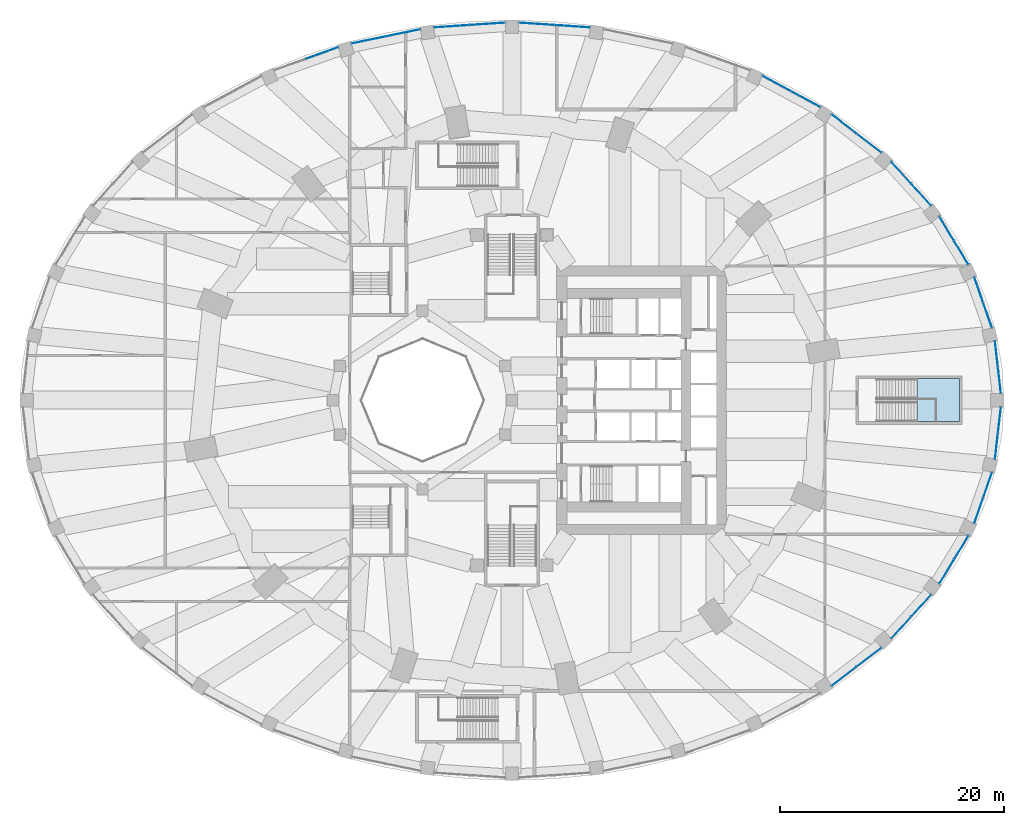
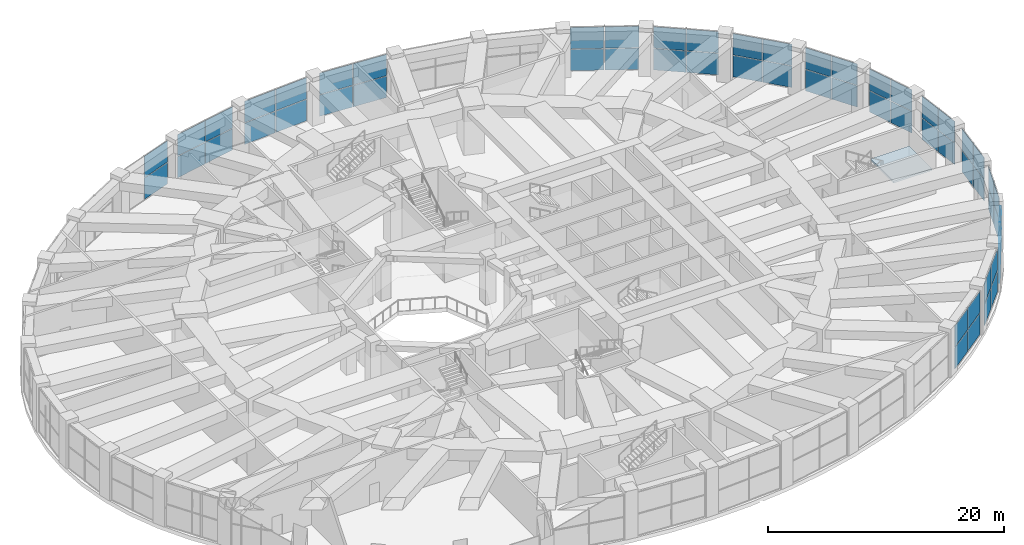
# One storey, part 20 of 32: 58 plates, 1 slab, 16 elements without a shape of their own.
"""IFC4 building model written with IfcOpenShell, lengths in metres."""

from ifc_helpers import new_model, si_unit, direction, frame, origin, origin_2d, place, context, subcontext, project, spatial, polyline, rectangle, outline, extrude, material, layer, layer_set, type_object, element, aggregate, save


model = new_model("IFC4")

# Units and contexts
model_context = context("Model", 3, precision=1e-05, world=origin(), true_north=direction((0.0, 1.0)))
body_context = subcontext(model_context, "Body", "Model", "MODEL_VIEW")
ifc_project = project(units=[si_unit("LENGTHUNIT", "METRE"), si_unit("AREAUNIT", "SQUARE_METRE"), si_unit("VOLUMEUNIT", "CUBIC_METRE"), si_unit("PLANEANGLEUNIT", "RADIAN"), si_unit("MASSUNIT", "GRAM", prefix="KILO")], contexts=[model_context])

# Site, building, storey
site_placement = place(None, origin())
site = spatial("IfcSite", under=ifc_project, at=site_placement, CompositionType="ELEMENT")
building_placement = place(site_placement, origin())
building = spatial("IfcBuilding", under=site, at=building_placement, Name="Taillehof Tower", CompositionType="ELEMENT")
storey_placement = place(building_placement, frame((0.0, 0.0, 7.5)))
storey = spatial("IfcBuildingStorey", under=building, at=storey_placement, Name="L01", CompositionType="ELEMENT", Elevation=7.5)

# Curtain wall, plates
ifc_material_1 = material(Name="Aluminium curtain wall with Clear low-emissivity double glazing", Category="aluminium")
curtain_wall_type = type_object("IfcCurtainWallType", Name="Podium window wall curtain wall", PredefinedType="USERDEFINED", material=ifc_material_1)
curtain_wall_1_placement = place(storey_placement, origin())
curtain_wall_1 = element("IfcCurtainWall", 1, at=curtain_wall_1_placement, inside=storey, type_object=curtain_wall_type, Name="Podium window wall L01 bay 1", ObjectType="WINDOW WALL", PredefinedType="USERDEFINED")
ifc_material_2 = material(Name="Clear low-emissivity double glazing", Category="glass")
ifc_layer_1 = layer(ifc_material_2, 0.028076171875)
ifc_layer_set_1 = layer_set([ifc_layer_1], Name="Podium window wall glass panel 28")
plate_type = type_object("IfcPlateType", Name="Podium window wall glass panel 28", PredefinedType="CURTAIN_PANEL", material=ifc_layer_set_1)
plate_1_placement = place(storey_placement, frame((43.59716796875, 1.772216796875, 0.06005859375), z_axis=(0.0, 0.0, 1.0), x_axis=(-0.112932433888, 0.993602669771, 0.0)))
plate_1 = element("IfcPlate", 2, at=plate_1_placement, type_object=plate_type, Name="CT201 panel 1.1", PredefinedType="CURTAIN_PANEL", context=body_context, shape_type="SweptSolid", body=[
    extrude(rectangle(XDim=2.299560546875, YDim=0.028076171875, at=origin_2d()), origin(), (0.0, 0.0, 1.0), 2.205078125),
])
plate_2_placement = place(storey_placement, frame((43.59716796875, 1.772216796875, 2.324951171875), z_axis=(0.0, 0.0, 1.0), x_axis=(-0.112932433888, 0.993602669771, 0.0)))
plate_2 = element("IfcPlate", 3, at=plate_2_placement, type_object=plate_type, Name="CT201 panel 1.2", PredefinedType="CURTAIN_PANEL", context=body_context, shape_type="SweptSolid", body=[
    extrude(rectangle(XDim=2.299560546875, YDim=0.028076171875, at=origin_2d()), origin(), (0.0, 0.0, 1.0), 2.205078125),
])
plate_3_placement = place(storey_placement, frame((43.330810546875, 4.116455078125, 0.06005859375), z_axis=(0.0, 0.0, 1.0), x_axis=(-0.112932433888, 0.993602669771, 0.0)))
plate_3 = element("IfcPlate", 4, at=plate_3_placement, type_object=plate_type, Name="CT201 panel 2.1", PredefinedType="CURTAIN_PANEL", context=body_context, shape_type="SweptSolid", body=[
    extrude(rectangle(XDim=2.299560546875, YDim=0.028076171875, at=origin_2d()), origin(), (0.0, 0.0, 1.0), 2.205078125),
])
plate_4_placement = place(storey_placement, frame((43.330810546875, 4.116455078125, 2.324951171875), z_axis=(0.0, 0.0, 1.0), x_axis=(-0.112932433888, 0.993602669771, 0.0)))
plate_4 = element("IfcPlate", 5, at=plate_4_placement, type_object=plate_type, Name="CT201 panel 2.2", PredefinedType="CURTAIN_PANEL", context=body_context, shape_type="SweptSolid", body=[
    extrude(rectangle(XDim=2.299560546875, YDim=0.028076171875, at=origin_2d()), origin(), (0.0, 0.0, 1.0), 2.205078125),
])
aggregate(curtain_wall_1, [plate_1, plate_2, plate_3, plate_4])

curtain_wall_2_placement = place(storey_placement, origin())
curtain_wall_2 = element("IfcCurtainWall", 6, at=curtain_wall_2_placement, inside=storey, type_object=curtain_wall_type, Name="Podium window wall L01 bay 2", ObjectType="WINDOW WALL", PredefinedType="USERDEFINED")
plate_5_placement = place(storey_placement, frame((42.53369140625, 7.599853515625, 0.06005859375), z_axis=(0.0, 0.0, 1.0), x_axis=(-0.328757610934, 0.944414333464, 0.0)))
plate_5 = element("IfcPlate", 7, at=plate_5_placement, type_object=plate_type, Name="CT202 panel 1.1", PredefinedType="CURTAIN_PANEL", context=body_context, shape_type="SweptSolid", body=[
    extrude(rectangle(XDim=2.35693359375, YDim=0.028076171875, at=origin_2d()), origin(), (0.0, 0.0, 1.0), 2.205078125),
])
plate_6_placement = place(storey_placement, frame((42.53369140625, 7.599853515625, 2.324951171875), z_axis=(0.0, 0.0, 1.0), x_axis=(-0.328757610934, 0.944414333464, 0.0)))
plate_6 = element("IfcPlate", 8, at=plate_6_placement, type_object=plate_type, Name="CT202 panel 1.2", PredefinedType="CURTAIN_PANEL", context=body_context, shape_type="SweptSolid", body=[
    extrude(rectangle(XDim=2.35693359375, YDim=0.028076171875, at=origin_2d()), origin(), (0.0, 0.0, 1.0), 2.205078125),
])
plate_7_placement = place(storey_placement, frame((41.7392578125, 9.88232421875, 0.06005859375), z_axis=(0.0, 0.0, 1.0), x_axis=(-0.328757610934, 0.944414333464, 0.0)))
plate_7 = element("IfcPlate", 9, at=plate_7_placement, type_object=plate_type, Name="CT202 panel 2.1", PredefinedType="CURTAIN_PANEL", context=body_context, shape_type="SweptSolid", body=[
    extrude(rectangle(XDim=2.35693359375, YDim=0.028076171875, at=origin_2d()), origin(), (0.0, 0.0, 1.0), 2.205078125),
])
plate_8_placement = place(storey_placement, frame((41.7392578125, 9.88232421875, 2.324951171875), z_axis=(0.0, 0.0, 1.0), x_axis=(-0.328757610934, 0.944414333464, 0.0)))
plate_8 = element("IfcPlate", 10, at=plate_8_placement, type_object=plate_type, Name="CT202 panel 2.2", PredefinedType="CURTAIN_PANEL", context=body_context, shape_type="SweptSolid", body=[
    extrude(rectangle(XDim=2.35693359375, YDim=0.028076171875, at=origin_2d()), origin(), (0.0, 0.0, 1.0), 2.205078125),
])
aggregate(curtain_wall_2, [plate_5, plate_6, plate_7, plate_8])

curtain_wall_3_placement = place(storey_placement, origin())
curtain_wall_3 = element("IfcCurtainWall", 11, at=curtain_wall_3_placement, inside=storey, type_object=curtain_wall_type, Name="Podium window wall L01 bay 3", ObjectType="WINDOW WALL", PredefinedType="USERDEFINED")
plate_9_placement = place(storey_placement, frame((40.177490234375, 13.18798828125, 0.06005859375), z_axis=(0.0, 0.0, 1.0), x_axis=(-0.518151483931, 0.855288863309, 0.0)))
plate_9 = element("IfcPlate", 12, at=plate_9_placement, type_object=plate_type, Name="CT203 panel 1.1", PredefinedType="CURTAIN_PANEL", context=body_context, shape_type="SweptSolid", body=[
    extrude(rectangle(XDim=2.4619140625, YDim=0.028076171875, at=origin_2d()), origin(), (0.0, 0.0, 1.0), 2.205078125),
])
plate_10_placement = place(storey_placement, frame((40.177490234375, 13.18798828125, 2.324951171875), z_axis=(0.0, 0.0, 1.0), x_axis=(-0.518151483931, 0.855288863309, 0.0)))
plate_10 = element("IfcPlate", 13, at=plate_10_placement, type_object=plate_type, Name="CT203 panel 1.2", PredefinedType="CURTAIN_PANEL", context=body_context, shape_type="SweptSolid", body=[
    extrude(rectangle(XDim=2.4619140625, YDim=0.028076171875, at=origin_2d()), origin(), (0.0, 0.0, 1.0), 2.205078125),
])
plate_11_placement = place(storey_placement, frame((38.870849609375, 15.3447265625, 0.06005859375), z_axis=(0.0, 0.0, 1.0), x_axis=(-0.518151483931, 0.855288863309, 0.0)))
plate_11 = element("IfcPlate", 14, at=plate_11_placement, type_object=plate_type, Name="CT203 panel 2.1", PredefinedType="CURTAIN_PANEL", context=body_context, shape_type="SweptSolid", body=[
    extrude(rectangle(XDim=2.4619140625, YDim=0.028076171875, at=origin_2d()), origin(), (0.0, 0.0, 1.0), 2.205078125),
])
plate_12_placement = place(storey_placement, frame((38.870849609375, 15.3447265625, 2.324951171875), z_axis=(0.0, 0.0, 1.0), x_axis=(-0.518151483931, 0.855288863309, 0.0)))
plate_12 = element("IfcPlate", 15, at=plate_12_placement, type_object=plate_type, Name="CT203 panel 2.2", PredefinedType="CURTAIN_PANEL", context=body_context, shape_type="SweptSolid", body=[
    extrude(rectangle(XDim=2.4619140625, YDim=0.028076171875, at=origin_2d()), origin(), (0.0, 0.0, 1.0), 2.205078125),
])
aggregate(curtain_wall_3, [plate_9, plate_10, plate_11, plate_12])

curtain_wall_4_placement = place(storey_placement, origin())
curtain_wall_4 = element("IfcCurtainWall", 16, at=curtain_wall_4_placement, inside=storey, type_object=curtain_wall_type, Name="Podium window wall L01 bay 4", ObjectType="WINDOW WALL", PredefinedType="USERDEFINED")
plate_13_placement = place(storey_placement, frame((36.605224609375, 18.367919921875, 0.06005859375), z_axis=(0.0, 0.0, 1.0), x_axis=(-0.672928961769, 0.739707112587, 0.0)))
plate_13 = element("IfcPlate", 17, at=plate_13_placement, type_object=plate_type, Name="CT204 panel 1.1", PredefinedType="CURTAIN_PANEL", context=body_context, shape_type="SweptSolid", body=[
    extrude(rectangle(XDim=2.59814453125, YDim=0.028076171875, at=origin_2d()), origin(), (0.0, 0.0, 1.0), 2.205078125),
])
plate_14_placement = place(storey_placement, frame((36.605224609375, 18.367919921875, 2.324951171875), z_axis=(0.0, 0.0, 1.0), x_axis=(-0.672928961769, 0.739707112587, 0.0)))
plate_14 = element("IfcPlate", 18, at=plate_14_placement, type_object=plate_type, Name="CT204 panel 1.2", PredefinedType="CURTAIN_PANEL", context=body_context, shape_type="SweptSolid", body=[
    extrude(rectangle(XDim=2.59814453125, YDim=0.028076171875, at=origin_2d()), origin(), (0.0, 0.0, 1.0), 2.205078125),
])
plate_15_placement = place(storey_placement, frame((34.81640625, 20.333984375, 0.06005859375), z_axis=(0.0, 0.0, 1.0), x_axis=(-0.672928961769, 0.739707112587, 0.0)))
plate_15 = element("IfcPlate", 19, at=plate_15_placement, type_object=plate_type, Name="CT204 panel 2.1", PredefinedType="CURTAIN_PANEL", context=body_context, shape_type="SweptSolid", body=[
    extrude(rectangle(XDim=2.59814453125, YDim=0.028076171875, at=origin_2d()), origin(), (0.0, 0.0, 1.0), 2.205078125),
])
plate_16_placement = place(storey_placement, frame((34.81640625, 20.333984375, 2.324951171875), z_axis=(0.0, 0.0, 1.0), x_axis=(-0.672928961769, 0.739707112587, 0.0)))
plate_16 = element("IfcPlate", 20, at=plate_16_placement, type_object=plate_type, Name="CT204 panel 2.2", PredefinedType="CURTAIN_PANEL", context=body_context, shape_type="SweptSolid", body=[
    extrude(rectangle(XDim=2.59814453125, YDim=0.028076171875, at=origin_2d()), origin(), (0.0, 0.0, 1.0), 2.205078125),
])
aggregate(curtain_wall_4, [plate_13, plate_14, plate_15, plate_16])

curtain_wall_5_placement = place(storey_placement, origin())
curtain_wall_5 = element("IfcCurtainWall", 21, at=curtain_wall_5_placement, inside=storey, type_object=curtain_wall_type, Name="Podium window wall L01 bay 5", ObjectType="WINDOW WALL", PredefinedType="USERDEFINED")
plate_17_placement = place(storey_placement, frame((31.927490234375, 22.986083984375, 0.06005859375), z_axis=(0.0, 0.0, 1.0), x_axis=(-0.792453709228, 0.60993206075, 0.0)))
plate_17 = element("IfcPlate", 22, at=plate_17_placement, type_object=plate_type, Name="CT205 panel 1.1", PredefinedType="CURTAIN_PANEL", context=body_context, shape_type="SweptSolid", body=[
    extrude(rectangle(XDim=2.74658203125, YDim=0.028076171875, at=origin_2d()), origin(), (0.0, 0.0, 1.0), 2.205078125),
])
plate_18_placement = place(storey_placement, frame((31.927490234375, 22.986083984375, 2.324951171875), z_axis=(0.0, 0.0, 1.0), x_axis=(-0.792453709228, 0.60993206075, 0.0)))
plate_18 = element("IfcPlate", 23, at=plate_18_placement, type_object=plate_type, Name="CT205 panel 1.2", PredefinedType="CURTAIN_PANEL", context=body_context, shape_type="SweptSolid", body=[
    extrude(rectangle(XDim=2.74658203125, YDim=0.028076171875, at=origin_2d()), origin(), (0.0, 0.0, 1.0), 2.205078125),
])
plate_19_placement = place(storey_placement, frame((29.703369140625, 24.697998046875, 0.06005859375), z_axis=(0.0, 0.0, 1.0), x_axis=(-0.792453709228, 0.60993206075, 0.0)))
plate_19 = element("IfcPlate", 24, at=plate_19_placement, type_object=plate_type, Name="CT205 panel 2.1", PredefinedType="CURTAIN_PANEL", context=body_context, shape_type="SweptSolid", body=[
    extrude(rectangle(XDim=2.74658203125, YDim=0.028076171875, at=origin_2d()), origin(), (0.0, 0.0, 1.0), 2.205078125),
])
plate_20_placement = place(storey_placement, frame((29.703369140625, 24.697998046875, 2.324951171875), z_axis=(0.0, 0.0, 1.0), x_axis=(-0.792453709228, 0.60993206075, 0.0)))
plate_20 = element("IfcPlate", 25, at=plate_20_placement, type_object=plate_type, Name="CT205 panel 2.2", PredefinedType="CURTAIN_PANEL", context=body_context, shape_type="SweptSolid", body=[
    extrude(rectangle(XDim=2.74658203125, YDim=0.028076171875, at=origin_2d()), origin(), (0.0, 0.0, 1.0), 2.205078125),
])
aggregate(curtain_wall_5, [plate_17, plate_18, plate_19, plate_20])

curtain_wall_6_placement = place(storey_placement, origin())
curtain_wall_6 = element("IfcCurtainWall", 26, at=curtain_wall_6_placement, inside=storey, type_object=curtain_wall_type, Name="Podium window wall L01 bay 6", ObjectType="WINDOW WALL", PredefinedType="USERDEFINED")
plate_21_placement = place(storey_placement, frame((26.286376953125, 26.906005859375, 0.06005859375), z_axis=(0.0, 0.0, 1.0), x_axis=(-0.880301433958, 0.474414781992, 0.0)))
plate_21 = element("IfcPlate", 27, at=plate_21_placement, type_object=plate_type, Name="CT206 panel 1.1", PredefinedType="CURTAIN_PANEL", context=body_context, shape_type="SweptSolid", body=[
    extrude(rectangle(XDim=2.888916015625, YDim=0.028076171875, at=origin_2d()), origin(), (0.0, 0.0, 1.0), 2.205078125),
])
plate_22_placement = place(storey_placement, frame((26.286376953125, 26.906005859375, 2.324951171875), z_axis=(0.0, 0.0, 1.0), x_axis=(-0.880301433958, 0.474414781992, 0.0)))
plate_22 = element("IfcPlate", 28, at=plate_22_placement, type_object=plate_type, Name="CT206 panel 1.2", PredefinedType="CURTAIN_PANEL", context=body_context, shape_type="SweptSolid", body=[
    extrude(rectangle(XDim=2.888916015625, YDim=0.028076171875, at=origin_2d()), origin(), (0.0, 0.0, 1.0), 2.205078125),
])
plate_23_placement = place(storey_placement, frame((23.6904296875, 28.30517578125, 0.06005859375), z_axis=(0.0, 0.0, 1.0), x_axis=(-0.880301433958, 0.474414781992, 0.0)))
plate_23 = element("IfcPlate", 29, at=plate_23_placement, type_object=plate_type, Name="CT206 panel 2.1", PredefinedType="CURTAIN_PANEL", context=body_context, shape_type="SweptSolid", body=[
    extrude(rectangle(XDim=2.888916015625, YDim=0.028076171875, at=origin_2d()), origin(), (0.0, 0.0, 1.0), 2.205078125),
])
plate_24_placement = place(storey_placement, frame((23.6904296875, 28.30517578125, 2.324951171875), z_axis=(0.0, 0.0, 1.0), x_axis=(-0.880301433958, 0.474414781992, 0.0)))
plate_24 = element("IfcPlate", 30, at=plate_24_placement, type_object=plate_type, Name="CT206 panel 2.2", PredefinedType="CURTAIN_PANEL", context=body_context, shape_type="SweptSolid", body=[
    extrude(rectangle(XDim=2.888916015625, YDim=0.028076171875, at=origin_2d()), origin(), (0.0, 0.0, 1.0), 2.205078125),
])
aggregate(curtain_wall_6, [plate_21, plate_22, plate_23, plate_24])

curtain_wall_7_placement = place(storey_placement, origin())
curtain_wall_7 = element("IfcCurtainWall", 31, at=curtain_wall_7_placement, inside=storey, type_object=curtain_wall_type, Name="Podium window wall L01 bay 9", ObjectType="WINDOW WALL", PredefinedType="USERDEFINED")
plate_25_placement = place(storey_placement, frame((5.392578125, 33.4365234375, 0.06005859375), z_axis=(0.0, 0.0, 1.0), x_axis=(-0.997740670644, 0.067182989977, 0.0)))
plate_25 = element("IfcPlate", 32, at=plate_25_placement, type_object=plate_type, Name="CT209 panel 1.1", PredefinedType="CURTAIN_PANEL", context=body_context, shape_type="SweptSolid", body=[
    extrude(rectangle(XDim=3.142333984375, YDim=0.028076171875, at=origin_2d()), origin(), (0.0, 0.0, 1.0), 2.205078125),
])
plate_26_placement = place(storey_placement, frame((5.392578125, 33.4365234375, 2.324951171875), z_axis=(0.0, 0.0, 1.0), x_axis=(-0.997740670644, 0.067182989977, 0.0)))
plate_26 = element("IfcPlate", 33, at=plate_26_placement, type_object=plate_type, Name="CT209 panel 1.2", PredefinedType="CURTAIN_PANEL", context=body_context, shape_type="SweptSolid", body=[
    extrude(rectangle(XDim=3.142333984375, YDim=0.028076171875, at=origin_2d()), origin(), (0.0, 0.0, 1.0), 2.205078125),
])
plate_27_placement = place(storey_placement, frame((2.197509765625, 33.651611328125, 0.06005859375), z_axis=(0.0, 0.0, 1.0), x_axis=(-0.997740670644, 0.067182989977, 0.0)))
plate_27 = element("IfcPlate", 34, at=plate_27_placement, type_object=plate_type, Name="CT209 panel 2.1", PredefinedType="CURTAIN_PANEL", context=body_context, shape_type="SweptSolid", body=[
    extrude(rectangle(XDim=3.142333984375, YDim=0.028076171875, at=origin_2d()), origin(), (0.0, 0.0, 1.0), 2.205078125),
])
plate_28_placement = place(storey_placement, frame((2.197509765625, 33.651611328125, 2.324951171875), z_axis=(0.0, 0.0, 1.0), x_axis=(-0.997740670644, 0.067182989977, 0.0)))
plate_28 = element("IfcPlate", 35, at=plate_28_placement, type_object=plate_type, Name="CT209 panel 2.2", PredefinedType="CURTAIN_PANEL", context=body_context, shape_type="SweptSolid", body=[
    extrude(rectangle(XDim=3.142333984375, YDim=0.028076171875, at=origin_2d()), origin(), (0.0, 0.0, 1.0), 2.205078125),
])
aggregate(curtain_wall_7, [plate_25, plate_26, plate_27, plate_28])

curtain_wall_8_placement = place(storey_placement, origin())
curtain_wall_8 = element("IfcCurtainWall", 36, at=curtain_wall_8_placement, inside=storey, type_object=curtain_wall_type, Name="Podium window wall L01 bay 10", ObjectType="WINDOW WALL", PredefinedType="USERDEFINED")
plate_29_placement = place(storey_placement, frame((-2.197509765625, 33.651611328125, 0.06005859375), z_axis=(0.0, 0.0, 1.0), x_axis=(-0.997740670644, -0.067182989977, 0.0)))
plate_29 = element("IfcPlate", 37, at=plate_29_placement, type_object=plate_type, Name="CT210 panel 1.1", PredefinedType="CURTAIN_PANEL", context=body_context, shape_type="SweptSolid", body=[
    extrude(rectangle(XDim=3.142333984375, YDim=0.028076171875, at=origin_2d()), origin(), (0.0, 0.0, 1.0), 2.205078125),
])
plate_30_placement = place(storey_placement, frame((-2.197509765625, 33.651611328125, 2.324951171875), z_axis=(0.0, 0.0, 1.0), x_axis=(-0.997740670644, -0.067182989977, 0.0)))
plate_30 = element("IfcPlate", 38, at=plate_30_placement, type_object=plate_type, Name="CT210 panel 1.2", PredefinedType="CURTAIN_PANEL", context=body_context, shape_type="SweptSolid", body=[
    extrude(rectangle(XDim=3.142333984375, YDim=0.028076171875, at=origin_2d()), origin(), (0.0, 0.0, 1.0), 2.205078125),
])
plate_31_placement = place(storey_placement, frame((-5.392578125, 33.4365234375, 0.06005859375), z_axis=(0.0, 0.0, 1.0), x_axis=(-0.997740670644, -0.067182989977, 0.0)))
plate_31 = element("IfcPlate", 39, at=plate_31_placement, type_object=plate_type, Name="CT210 panel 2.1", PredefinedType="CURTAIN_PANEL", context=body_context, shape_type="SweptSolid", body=[
    extrude(rectangle(XDim=3.142333984375, YDim=0.028076171875, at=origin_2d()), origin(), (0.0, 0.0, 1.0), 2.205078125),
])
plate_32_placement = place(storey_placement, frame((-5.392578125, 33.4365234375, 2.324951171875), z_axis=(0.0, 0.0, 1.0), x_axis=(-0.997740670644, -0.067182989977, 0.0)))
plate_32 = element("IfcPlate", 40, at=plate_32_placement, type_object=plate_type, Name="CT210 panel 2.2", PredefinedType="CURTAIN_PANEL", context=body_context, shape_type="SweptSolid", body=[
    extrude(rectangle(XDim=3.142333984375, YDim=0.028076171875, at=origin_2d()), origin(), (0.0, 0.0, 1.0), 2.205078125),
])
aggregate(curtain_wall_8, [plate_29, plate_30, plate_31, plate_32])

curtain_wall_9_placement = place(storey_placement, origin())
curtain_wall_9 = element("IfcCurtainWall", 41, at=curtain_wall_9_placement, inside=storey, type_object=curtain_wall_type, Name="Podium window wall L01 bay 11", ObjectType="WINDOW WALL", PredefinedType="USERDEFINED")
plate_33_placement = place(storey_placement, frame((-9.72509765625, 32.84814453125, 0.06005859375), z_axis=(0.0, 0.0, 1.0), x_axis=(-0.97939047099, -0.201976001877, 0.0)))
plate_33 = element("IfcPlate", 42, at=plate_33_placement, type_object=plate_type, Name="CT211 panel 1.1", PredefinedType="CURTAIN_PANEL", context=body_context, shape_type="SweptSolid", body=[
    extrude(rectangle(XDim=3.0966796875, YDim=0.028076171875, at=origin_2d()), origin(), (0.0, 0.0, 1.0), 2.205078125),
])
plate_34_placement = place(storey_placement, frame((-9.72509765625, 32.84814453125, 2.324951171875), z_axis=(0.0, 0.0, 1.0), x_axis=(-0.97939047099, -0.201976001877, 0.0)))
plate_34 = element("IfcPlate", 43, at=plate_34_placement, type_object=plate_type, Name="CT211 panel 1.2", PredefinedType="CURTAIN_PANEL", context=body_context, shape_type="SweptSolid", body=[
    extrude(rectangle(XDim=3.0966796875, YDim=0.028076171875, at=origin_2d()), origin(), (0.0, 0.0, 1.0), 2.205078125),
])
plate_35_placement = place(storey_placement, frame((-12.81689453125, 32.210693359375, 0.06005859375), z_axis=(0.0, 0.0, 1.0), x_axis=(-0.97939047099, -0.201976001877, 0.0)))
plate_35 = element("IfcPlate", 44, at=plate_35_placement, type_object=plate_type, Name="CT211 panel 2.1", PredefinedType="CURTAIN_PANEL", context=body_context, shape_type="SweptSolid", body=[
    extrude(rectangle(XDim=3.0966796875, YDim=0.028076171875, at=origin_2d()), origin(), (0.0, 0.0, 1.0), 2.205078125),
])
plate_36_placement = place(storey_placement, frame((-12.81689453125, 32.210693359375, 2.324951171875), z_axis=(0.0, 0.0, 1.0), x_axis=(-0.97939047099, -0.201976001877, 0.0)))
plate_36 = element("IfcPlate", 45, at=plate_36_placement, type_object=plate_type, Name="CT211 panel 2.2", PredefinedType="CURTAIN_PANEL", context=body_context, shape_type="SweptSolid", body=[
    extrude(rectangle(XDim=3.0966796875, YDim=0.028076171875, at=origin_2d()), origin(), (0.0, 0.0, 1.0), 2.205078125),
])
aggregate(curtain_wall_9, [plate_33, plate_34, plate_35, plate_36])

curtain_wall_10_placement = place(storey_placement, origin())
curtain_wall_10 = element("IfcCurtainWall", 46, at=curtain_wall_10_placement, inside=storey, type_object=curtain_wall_type, Name="Podium window wall L01 bay 12", ObjectType="WINDOW WALL", PredefinedType="USERDEFINED")
plate_37_placement = place(storey_placement, frame((-16.962646484375, 31.048583984375, 0.06005859375), z_axis=(0.0, 0.0, 1.0), x_axis=(-0.94121845058, -0.337798502496, 0.0)))
plate_37 = element("IfcPlate", 47, at=plate_37_placement, type_object=plate_type, Name="CT212 panel 1.1", PredefinedType="CURTAIN_PANEL", context=body_context, shape_type="SweptSolid", body=[
    extrude(rectangle(XDim=3.009765625, YDim=0.028076171875, at=origin_2d()), origin(), (0.0, 0.0, 1.0), 2.205078125),
])
plate_38_placement = place(storey_placement, frame((-16.962646484375, 31.048583984375, 2.324951171875), z_axis=(0.0, 0.0, 1.0), x_axis=(-0.94121845058, -0.337798502496, 0.0)))
plate_38 = element("IfcPlate", 48, at=plate_38_placement, type_object=plate_type, Name="CT212 panel 1.2", PredefinedType="CURTAIN_PANEL", context=body_context, shape_type="SweptSolid", body=[
    extrude(rectangle(XDim=3.009765625, YDim=0.028076171875, at=origin_2d()), origin(), (0.0, 0.0, 1.0), 2.205078125),
])
aggregate(curtain_wall_10, [plate_37, plate_38])

curtain_wall_11_placement = place(storey_placement, origin())
curtain_wall_11 = element("IfcCurtainWall", 49, at=curtain_wall_11_placement, inside=storey, type_object=curtain_wall_type, Name="Podium window wall L01 bay 32", ObjectType="WINDOW WALL", PredefinedType="USERDEFINED")
plate_39_placement = place(storey_placement, frame((29.703369140625, -24.697998046875, 0.06005859375), z_axis=(0.0, 0.0, 1.0), x_axis=(0.792453709228, 0.60993206075, 0.0)))
plate_39 = element("IfcPlate", 50, at=plate_39_placement, type_object=plate_type, Name="CT232 panel 1.1", PredefinedType="CURTAIN_PANEL", context=body_context, shape_type="SweptSolid", body=[
    extrude(rectangle(XDim=2.74658203125, YDim=0.028076171875, at=origin_2d()), origin(), (0.0, 0.0, 1.0), 2.205078125),
])
plate_40_placement = place(storey_placement, frame((29.703369140625, -24.697998046875, 2.324951171875), z_axis=(0.0, 0.0, 1.0), x_axis=(0.792453709228, 0.60993206075, 0.0)))
plate_40 = element("IfcPlate", 51, at=plate_40_placement, type_object=plate_type, Name="CT232 panel 1.2", PredefinedType="CURTAIN_PANEL", context=body_context, shape_type="SweptSolid", body=[
    extrude(rectangle(XDim=2.74658203125, YDim=0.028076171875, at=origin_2d()), origin(), (0.0, 0.0, 1.0), 2.205078125),
])
plate_41_placement = place(storey_placement, frame((31.927490234375, -22.986083984375, 0.06005859375), z_axis=(0.0, 0.0, 1.0), x_axis=(0.792453709228, 0.60993206075, 0.0)))
plate_41 = element("IfcPlate", 52, at=plate_41_placement, type_object=plate_type, Name="CT232 panel 2.1", PredefinedType="CURTAIN_PANEL", context=body_context, shape_type="SweptSolid", body=[
    extrude(rectangle(XDim=2.74658203125, YDim=0.028076171875, at=origin_2d()), origin(), (0.0, 0.0, 1.0), 2.205078125),
])
plate_42_placement = place(storey_placement, frame((31.927490234375, -22.986083984375, 2.324951171875), z_axis=(0.0, 0.0, 1.0), x_axis=(0.792453709228, 0.60993206075, 0.0)))
plate_42 = element("IfcPlate", 53, at=plate_42_placement, type_object=plate_type, Name="CT232 panel 2.2", PredefinedType="CURTAIN_PANEL", context=body_context, shape_type="SweptSolid", body=[
    extrude(rectangle(XDim=2.74658203125, YDim=0.028076171875, at=origin_2d()), origin(), (0.0, 0.0, 1.0), 2.205078125),
])
aggregate(curtain_wall_11, [plate_39, plate_40, plate_41, plate_42])

curtain_wall_12_placement = place(storey_placement, origin())
curtain_wall_12 = element("IfcCurtainWall", 54, at=curtain_wall_12_placement, inside=storey, type_object=curtain_wall_type, Name="Podium window wall L01 bay 33", ObjectType="WINDOW WALL", PredefinedType="USERDEFINED")
plate_43_placement = place(storey_placement, frame((34.81640625, -20.333984375, 0.06005859375), z_axis=(0.0, 0.0, 1.0), x_axis=(0.672928961769, 0.739707112587, 0.0)))
plate_43 = element("IfcPlate", 55, at=plate_43_placement, type_object=plate_type, Name="CT233 panel 1.1", PredefinedType="CURTAIN_PANEL", context=body_context, shape_type="SweptSolid", body=[
    extrude(rectangle(XDim=2.59814453125, YDim=0.028076171875, at=origin_2d()), origin(), (0.0, 0.0, 1.0), 2.205078125),
])
plate_44_placement = place(storey_placement, frame((34.81640625, -20.333984375, 2.324951171875), z_axis=(0.0, 0.0, 1.0), x_axis=(0.672928961769, 0.739707112587, 0.0)))
plate_44 = element("IfcPlate", 56, at=plate_44_placement, type_object=plate_type, Name="CT233 panel 1.2", PredefinedType="CURTAIN_PANEL", context=body_context, shape_type="SweptSolid", body=[
    extrude(rectangle(XDim=2.59814453125, YDim=0.028076171875, at=origin_2d()), origin(), (0.0, 0.0, 1.0), 2.205078125),
])
plate_45_placement = place(storey_placement, frame((36.605224609375, -18.367919921875, 0.06005859375), z_axis=(0.0, 0.0, 1.0), x_axis=(0.672928961769, 0.739707112587, 0.0)))
plate_45 = element("IfcPlate", 57, at=plate_45_placement, type_object=plate_type, Name="CT233 panel 2.1", PredefinedType="CURTAIN_PANEL", context=body_context, shape_type="SweptSolid", body=[
    extrude(rectangle(XDim=2.59814453125, YDim=0.028076171875, at=origin_2d()), origin(), (0.0, 0.0, 1.0), 2.205078125),
])
plate_46_placement = place(storey_placement, frame((36.605224609375, -18.367919921875, 2.324951171875), z_axis=(0.0, 0.0, 1.0), x_axis=(0.672928961769, 0.739707112587, 0.0)))
plate_46 = element("IfcPlate", 58, at=plate_46_placement, type_object=plate_type, Name="CT233 panel 2.2", PredefinedType="CURTAIN_PANEL", context=body_context, shape_type="SweptSolid", body=[
    extrude(rectangle(XDim=2.59814453125, YDim=0.028076171875, at=origin_2d()), origin(), (0.0, 0.0, 1.0), 2.205078125),
])
aggregate(curtain_wall_12, [plate_43, plate_44, plate_45, plate_46])

curtain_wall_13_placement = place(storey_placement, origin())
curtain_wall_13 = element("IfcCurtainWall", 59, at=curtain_wall_13_placement, inside=storey, type_object=curtain_wall_type, Name="Podium window wall L01 bay 34", ObjectType="WINDOW WALL", PredefinedType="USERDEFINED")
plate_47_placement = place(storey_placement, frame((38.870849609375, -15.3447265625, 0.06005859375), z_axis=(0.0, 0.0, 1.0), x_axis=(0.518151483931, 0.855288863309, 0.0)))
plate_47 = element("IfcPlate", 60, at=plate_47_placement, type_object=plate_type, Name="CT234 panel 1.1", PredefinedType="CURTAIN_PANEL", context=body_context, shape_type="SweptSolid", body=[
    extrude(rectangle(XDim=2.4619140625, YDim=0.028076171875, at=origin_2d()), origin(), (0.0, 0.0, 1.0), 2.205078125),
])
plate_48_placement = place(storey_placement, frame((38.870849609375, -15.3447265625, 2.324951171875), z_axis=(0.0, 0.0, 1.0), x_axis=(0.518151483931, 0.855288863309, 0.0)))
plate_48 = element("IfcPlate", 61, at=plate_48_placement, type_object=plate_type, Name="CT234 panel 1.2", PredefinedType="CURTAIN_PANEL", context=body_context, shape_type="SweptSolid", body=[
    extrude(rectangle(XDim=2.4619140625, YDim=0.028076171875, at=origin_2d()), origin(), (0.0, 0.0, 1.0), 2.205078125),
])
plate_49_placement = place(storey_placement, frame((40.177490234375, -13.18798828125, 0.06005859375), z_axis=(0.0, 0.0, 1.0), x_axis=(0.518151483931, 0.855288863309, 0.0)))
plate_49 = element("IfcPlate", 62, at=plate_49_placement, type_object=plate_type, Name="CT234 panel 2.1", PredefinedType="CURTAIN_PANEL", context=body_context, shape_type="SweptSolid", body=[
    extrude(rectangle(XDim=2.4619140625, YDim=0.028076171875, at=origin_2d()), origin(), (0.0, 0.0, 1.0), 2.205078125),
])
plate_50_placement = place(storey_placement, frame((40.177490234375, -13.18798828125, 2.324951171875), z_axis=(0.0, 0.0, 1.0), x_axis=(0.518151483931, 0.855288863309, 0.0)))
plate_50 = element("IfcPlate", 63, at=plate_50_placement, type_object=plate_type, Name="CT234 panel 2.2", PredefinedType="CURTAIN_PANEL", context=body_context, shape_type="SweptSolid", body=[
    extrude(rectangle(XDim=2.4619140625, YDim=0.028076171875, at=origin_2d()), origin(), (0.0, 0.0, 1.0), 2.205078125),
])
aggregate(curtain_wall_13, [plate_47, plate_48, plate_49, plate_50])

curtain_wall_14_placement = place(storey_placement, origin())
curtain_wall_14 = element("IfcCurtainWall", 64, at=curtain_wall_14_placement, inside=storey, type_object=curtain_wall_type, Name="Podium window wall L01 bay 35", ObjectType="WINDOW WALL", PredefinedType="USERDEFINED")
plate_51_placement = place(storey_placement, frame((41.7392578125, -9.88232421875, 0.06005859375), z_axis=(0.0, 0.0, 1.0), x_axis=(0.328757610934, 0.944414333464, 0.0)))
plate_51 = element("IfcPlate", 65, at=plate_51_placement, type_object=plate_type, Name="CT235 panel 1.1", PredefinedType="CURTAIN_PANEL", context=body_context, shape_type="SweptSolid", body=[
    extrude(rectangle(XDim=2.35693359375, YDim=0.028076171875, at=origin_2d()), origin(), (0.0, 0.0, 1.0), 2.205078125),
])
plate_52_placement = place(storey_placement, frame((41.7392578125, -9.88232421875, 2.324951171875), z_axis=(0.0, 0.0, 1.0), x_axis=(0.328757610934, 0.944414333464, 0.0)))
plate_52 = element("IfcPlate", 66, at=plate_52_placement, type_object=plate_type, Name="CT235 panel 1.2", PredefinedType="CURTAIN_PANEL", context=body_context, shape_type="SweptSolid", body=[
    extrude(rectangle(XDim=2.35693359375, YDim=0.028076171875, at=origin_2d()), origin(), (0.0, 0.0, 1.0), 2.205078125),
])
plate_53_placement = place(storey_placement, frame((42.53369140625, -7.599853515625, 0.06005859375), z_axis=(0.0, 0.0, 1.0), x_axis=(0.328757610934, 0.944414333464, 0.0)))
plate_53 = element("IfcPlate", 67, at=plate_53_placement, type_object=plate_type, Name="CT235 panel 2.1", PredefinedType="CURTAIN_PANEL", context=body_context, shape_type="SweptSolid", body=[
    extrude(rectangle(XDim=2.35693359375, YDim=0.028076171875, at=origin_2d()), origin(), (0.0, 0.0, 1.0), 2.205078125),
])
plate_54_placement = place(storey_placement, frame((42.53369140625, -7.599853515625, 2.324951171875), z_axis=(0.0, 0.0, 1.0), x_axis=(0.328757610934, 0.944414333464, 0.0)))
plate_54 = element("IfcPlate", 68, at=plate_54_placement, type_object=plate_type, Name="CT235 panel 2.2", PredefinedType="CURTAIN_PANEL", context=body_context, shape_type="SweptSolid", body=[
    extrude(rectangle(XDim=2.35693359375, YDim=0.028076171875, at=origin_2d()), origin(), (0.0, 0.0, 1.0), 2.205078125),
])
aggregate(curtain_wall_14, [plate_51, plate_52, plate_53, plate_54])

curtain_wall_15_placement = place(storey_placement, origin())
curtain_wall_15 = element("IfcCurtainWall", 69, at=curtain_wall_15_placement, inside=storey, type_object=curtain_wall_type, Name="Podium window wall L01 bay 36", ObjectType="WINDOW WALL", PredefinedType="USERDEFINED")
plate_55_placement = place(storey_placement, frame((43.330810546875, -4.116455078125, 0.06005859375), z_axis=(0.0, 0.0, 1.0), x_axis=(0.112932433888, 0.993602669771, 0.0)))
plate_55 = element("IfcPlate", 70, at=plate_55_placement, type_object=plate_type, Name="CT236 panel 1.1", PredefinedType="CURTAIN_PANEL", context=body_context, shape_type="SweptSolid", body=[
    extrude(rectangle(XDim=2.299560546875, YDim=0.028076171875, at=origin_2d()), origin(), (0.0, 0.0, 1.0), 2.205078125),
])
plate_56_placement = place(storey_placement, frame((43.330810546875, -4.116455078125, 2.324951171875), z_axis=(0.0, 0.0, 1.0), x_axis=(0.112932433888, 0.993602669771, 0.0)))
plate_56 = element("IfcPlate", 71, at=plate_56_placement, type_object=plate_type, Name="CT236 panel 1.2", PredefinedType="CURTAIN_PANEL", context=body_context, shape_type="SweptSolid", body=[
    extrude(rectangle(XDim=2.299560546875, YDim=0.028076171875, at=origin_2d()), origin(), (0.0, 0.0, 1.0), 2.205078125),
])
plate_57_placement = place(storey_placement, frame((43.59716796875, -1.772216796875, 0.06005859375), z_axis=(0.0, 0.0, 1.0), x_axis=(0.112932433888, 0.993602669771, 0.0)))
plate_57 = element("IfcPlate", 72, at=plate_57_placement, type_object=plate_type, Name="CT236 panel 2.1", PredefinedType="CURTAIN_PANEL", context=body_context, shape_type="SweptSolid", body=[
    extrude(rectangle(XDim=2.299560546875, YDim=0.028076171875, at=origin_2d()), origin(), (0.0, 0.0, 1.0), 2.205078125),
])
plate_58_placement = place(storey_placement, frame((43.59716796875, -1.772216796875, 2.324951171875), z_axis=(0.0, 0.0, 1.0), x_axis=(0.112932433888, 0.993602669771, 0.0)))
plate_58 = element("IfcPlate", 73, at=plate_58_placement, type_object=plate_type, Name="CT236 panel 2.2", PredefinedType="CURTAIN_PANEL", context=body_context, shape_type="SweptSolid", body=[
    extrude(rectangle(XDim=2.299560546875, YDim=0.028076171875, at=origin_2d()), origin(), (0.0, 0.0, 1.0), 2.205078125),
])
aggregate(curtain_wall_15, [plate_55, plate_56, plate_57, plate_58])

# Stair, slab
ifc_material_3 = material(Name="Concrete C30/37", Category="concrete")
stair_type = type_object("IfcStairType", Name="Escape stair 1800 mm", PredefinedType="HALF_TURN_STAIR", material=ifc_material_3)
stair_placement = place(storey_placement, origin())
stair = element("IfcStair", 74, at=stair_placement, inside=storey, type_object=stair_type, Name="Escape stair P5", PredefinedType="HALF_TURN_STAIR")
ifc_material_4 = material(Name="Concrete C30/37", Category="concrete")
ifc_layer_2 = layer(ifc_material_4, 0.199951171875)
ifc_layer_set_2 = layer_set([ifc_layer_2], Name="Stair landing 200 mm")
slab_type = type_object("IfcSlabType", Name="Stair landing 200 mm", PredefinedType="LANDING", material=ifc_layer_set_2)
slab_placement = place(storey_placement, frame((0.0, 0.0, 2.300048828125)))
slab = element("IfcSlab", 75, at=slab_placement, type_object=slab_type, Name="P5 landing 1", PredefinedType="LANDING", context=body_context, shape_type="SweptSolid", body=[
    extrude(outline(polyline([(36.239990234375, 1.925048828125), (36.239990234375, -1.925048828125), (40.0, -1.925048828125), (40.0, 1.925048828125), (36.239990234375, 1.925048828125)])), origin(), (0.0, 0.0, 1.0), 0.199951171875),
])
aggregate(stair, [slab])

save(model, "model.ifc")
